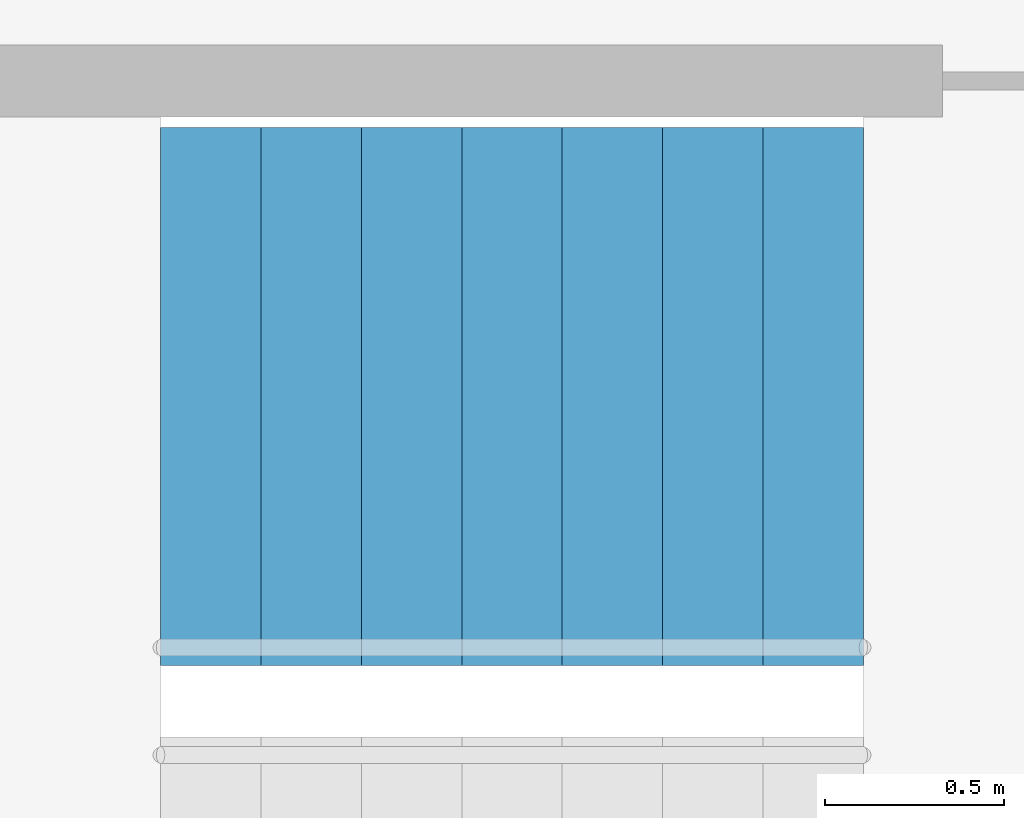
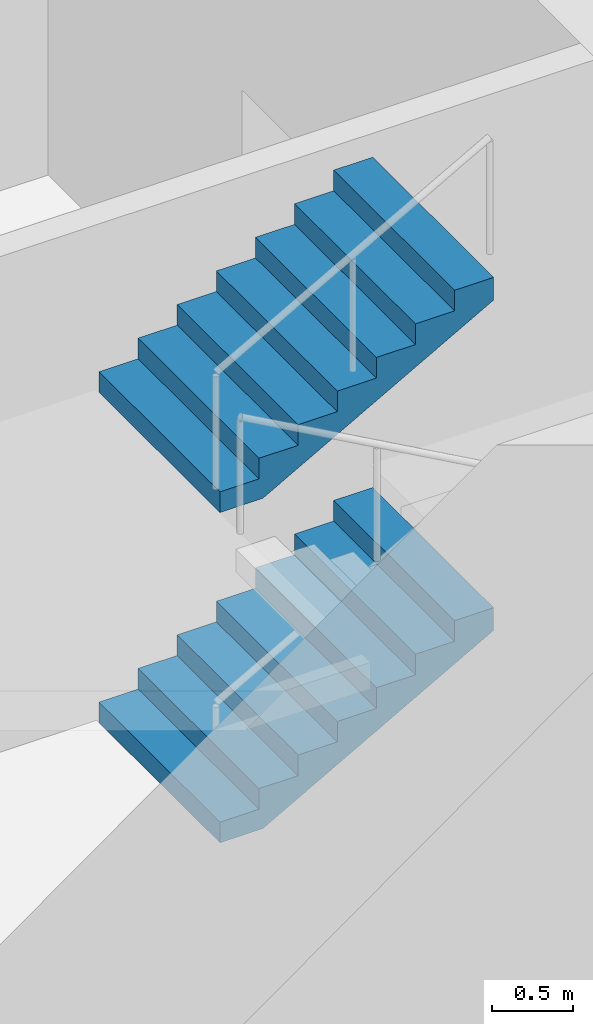
# One storey, part 16 of 17: 2 stair flights, 1 element without a shape of its own.
"""IFC4 building model written with IfcOpenShell, lengths in metres."""

from ifc_helpers import new_model, si_unit, direction, frame, origin, place, context, subcontext, project, spatial, triangles, material, type_object, element, aggregate, save


model = new_model("IFC4")

# Units and contexts
model_context = context("Model", 3, precision=1e-05, world=origin(), true_north=direction((0.0, 1.0)))
body_context = subcontext(model_context, "Body", "Model", "MODEL_VIEW")
ifc_project = project(units=[si_unit("LENGTHUNIT", "METRE"), si_unit("AREAUNIT", "SQUARE_METRE"), si_unit("VOLUMEUNIT", "CUBIC_METRE"), si_unit("PLANEANGLEUNIT", "RADIAN"), si_unit("MASSUNIT", "GRAM", prefix="KILO")], contexts=[model_context])

# Site, building, storey
site_placement = place(None, origin())
site = spatial("IfcSite", under=ifc_project, at=site_placement, CompositionType="ELEMENT")
building_placement = place(site_placement, origin())
building = spatial("IfcBuilding", under=site, at=building_placement, Name="Lantaw Convention Tower", CompositionType="ELEMENT")
storey_placement = place(building_placement, frame((0.0, 0.0, 279.39990234375)))
storey = spatial("IfcBuildingStorey", under=building, at=storey_placement, Name="L65", CompositionType="ELEMENT", Elevation=279.39990234375)

# Stair, stair flights
ifc_material = material(Name="Concrete C35/45", Category="concrete")
stair_type = type_object("IfcStairType", Name="Exit stair 1500 riser 156.25 in 4 flights", PredefinedType="HALF_TURN_STAIR", material=ifc_material)
stair_placement = place(storey_placement, origin())
stair = element("IfcStair", 1, at=stair_placement, inside=storey, type_object=stair_type, Name="Exit stair S2 L65", PredefinedType="HALF_TURN_STAIR")
stair_flight_type = type_object("IfcStairFlightType", Name="Stair flight 1500 riser 156.25", PredefinedType="STRAIGHT", material=ifc_material)
stair_flight_1_placement = place(storey_placement, frame((8.6201171875, -4.280029296875, 1.25), z_axis=(0.0, 0.0, 1.0), x_axis=(1.0, 0.0, 0.0)))
stair_flight_1 = element("IfcStairFlight", 2, at=stair_flight_1_placement, type_object=stair_flight_type, Name="S2 flight 2", NumberOfRisers=8, NumberOfTreads=7, PredefinedType="STRAIGHT", RiserHeight=0.15625, TreadLength=0.28, context=body_context, shape_type="Tessellation", body=[
    triangles([(0.0, 0.75, 0.0), (0.0, 0.75, 0.15625), (0.28, 0.75, 0.0), (0.28, 0.75, 0.15625), (0.28, 0.75, 0.3125), (0.3076200632058044, 0.75, 0.0), (0.3076200632058044, 0.75, 0.3125), (0.56, 0.75, 0.14083701830033238), (0.56, 0.75, 0.3125), (0.56, 0.75, 0.46875), (0.8400000000000001, 0.75, 0.29708701830033235), (0.8400000000000001, 0.75, 0.46875), (0.8400000000000001, 0.75, 0.625), (1.12, 0.75, 0.45333701830033235), (1.12, 0.75, 0.625), (1.12, 0.75, 0.78125), (1.4000000000000001, 0.75, 0.6095870183003324), (1.4000000000000001, 0.75, 0.78125), (1.4000000000000001, 0.75, 0.9375), (1.6800000000000002, 0.75, 0.7658370183003324), (1.6800000000000002, 0.75, 0.9375), (1.6800000000000002, 0.75, 1.09375), (1.9600000000000002, 0.75, 0.9220870183003324), (1.9600000000000002, 0.75, 1.09375), (0.0, -0.75, 0.0), (0.0, -0.75, 0.15625), (0.28, -0.75, 0.0), (0.28, -0.75, 0.15625), (0.28, -0.75, 0.3125), (0.3076200632058044, -0.75, 0.0), (0.3076200632058044, -0.75, 0.3125), (0.56, -0.75, 0.14083701830033238), (0.56, -0.75, 0.3125), (0.56, -0.75, 0.46875), (0.8400000000000001, -0.75, 0.29708701830033235), (0.8400000000000001, -0.75, 0.46875), (0.8400000000000001, -0.75, 0.625), (1.12, -0.75, 0.45333701830033235), (1.12, -0.75, 0.625), (1.12, -0.75, 0.78125), (1.4000000000000001, -0.75, 0.6095870183003324), (1.4000000000000001, -0.75, 0.78125), (1.4000000000000001, -0.75, 0.9375), (1.6800000000000002, -0.75, 0.7658370183003324), (1.6800000000000002, -0.75, 0.9375), (1.6800000000000002, -0.75, 1.09375), (1.9600000000000002, -0.75, 0.9220870183003324), (1.9600000000000002, -0.75, 1.09375), (0.0, 0.15000000000000002, 0.15625), (0.0, 0.15000000000000002, 0.0), (0.0, 0.0, 0.15625), (0.0, 0.0, 0.0), (0.0, -0.15000000000000002, 0.15625), (0.0, -0.15000000000000002, 0.0), (0.28, 0.15000000000000002, 0.3125), (0.28, 0.15000000000000002, 0.15625), (0.28, 0.0, 0.3125), (0.28, 0.0, 0.15625), (0.28, -0.15000000000000002, 0.3125), (0.28, -0.15000000000000002, 0.15625), (0.56, 0.15000000000000002, 0.46875), (0.56, 0.15000000000000002, 0.3125), (0.56, 0.0, 0.46875), (0.56, 0.0, 0.3125), (0.56, -0.15000000000000002, 0.46875), (0.56, -0.15000000000000002, 0.3125), (0.8400000000000001, 0.15000000000000002, 0.625), (0.8400000000000001, 0.15000000000000002, 0.46875), (0.8400000000000001, 0.0, 0.625), (0.8400000000000001, 0.0, 0.46875), (0.8400000000000001, -0.15000000000000002, 0.625), (0.8400000000000001, -0.15000000000000002, 0.46875), (1.12, 0.15000000000000002, 0.78125), (1.12, 0.15000000000000002, 0.625), (1.12, 0.0, 0.78125), (1.12, 0.0, 0.625), (1.12, -0.15000000000000002, 0.78125), (1.12, -0.15000000000000002, 0.625), (1.4000000000000001, 0.15000000000000002, 0.9375), (1.4000000000000001, 0.15000000000000002, 0.78125), (1.4000000000000001, 0.0, 0.9375), (1.4000000000000001, 0.0, 0.78125), (1.4000000000000001, -0.15000000000000002, 0.9375), (1.4000000000000001, -0.15000000000000002, 0.78125), (1.6800000000000002, 0.15000000000000002, 1.09375), (1.6800000000000002, 0.15000000000000002, 0.9375), (1.6800000000000002, 0.0, 1.09375), (1.6800000000000002, 0.0, 0.9375), (1.6800000000000002, -0.15000000000000002, 1.09375), (1.6800000000000002, -0.15000000000000002, 0.9375), (0.3076200632058044, 0.15000000000000002, 0.3125), (0.3076200632058044, 0.0, 0.3125), (0.3076200632058044, -0.15000000000000002, 0.3125), (1.9600000000000002, 0.15000000000000002, 1.09375), (1.9600000000000002, 0.0, 1.09375), (1.9600000000000002, -0.15000000000000002, 1.09375), (1.9600000000000002, 0.15000000000000002, 0.9220870183003324), (1.9600000000000002, 0.0, 0.9220870183003324), (1.9600000000000002, -0.15000000000000002, 0.9220870183003324), (1.6800000000000002, 0.15000000000000002, 0.7658370183003324), (1.6800000000000002, 0.0, 0.7658370183003324), (1.6800000000000002, -0.15000000000000002, 0.7658370183003324), (1.4000000000000001, 0.15000000000000002, 0.6095870183003324), (1.4000000000000001, 0.0, 0.6095870183003324), (1.4000000000000001, -0.15000000000000002, 0.6095870183003324), (1.12, 0.15000000000000002, 0.45333701830033235), (1.12, 0.0, 0.45333701830033235), (1.12, -0.15000000000000002, 0.45333701830033235), (0.8400000000000001, 0.15000000000000002, 0.29708701830033235), (0.8400000000000001, 0.0, 0.29708701830033235), (0.8400000000000001, -0.15000000000000002, 0.29708701830033235), (0.56, 0.15000000000000002, 0.14083701830033238), (0.56, 0.0, 0.14083701830033238), (0.56, -0.15000000000000002, 0.14083701830033238), (0.3076200632058044, 0.15000000000000002, 0.0), (0.3076200632058044, 0.0, 0.0), (0.3076200632058044, -0.15000000000000002, 0.0), (0.28, 0.15000000000000002, 0.0), (0.28, 0.0, 0.0), (0.28, -0.15000000000000002, 0.0)], [[1, 4, 3], [1, 2, 4], [3, 4, 6], [4, 7, 6], [4, 5, 7], [6, 9, 8], [6, 7, 9], [8, 9, 11], [9, 12, 11], [9, 10, 12], [11, 12, 14], [12, 15, 14], [12, 13, 15], [14, 15, 17], [15, 18, 17], [15, 16, 18], [17, 18, 20], [18, 21, 20], [18, 19, 21], [20, 21, 23], [21, 24, 23], [21, 22, 24], [25, 27, 28], [25, 28, 26], [27, 30, 28], [28, 30, 31], [28, 31, 29], [30, 32, 33], [30, 33, 31], [32, 35, 33], [33, 35, 36], [33, 36, 34], [35, 38, 36], [36, 38, 39], [36, 39, 37], [38, 41, 39], [39, 41, 42], [39, 42, 40], [41, 44, 42], [42, 44, 45], [42, 45, 43], [44, 47, 45], [45, 47, 48], [45, 48, 46], [1, 49, 2], [1, 50, 49], [50, 51, 49], [50, 52, 51], [52, 53, 51], [52, 54, 53], [54, 26, 53], [54, 25, 26], [4, 55, 5], [4, 56, 55], [56, 57, 55], [56, 58, 57], [58, 59, 57], [58, 60, 59], [60, 29, 59], [60, 28, 29], [9, 61, 10], [9, 62, 61], [62, 63, 61], [62, 64, 63], [64, 65, 63], [64, 66, 65], [66, 34, 65], [66, 33, 34], [12, 67, 13], [12, 68, 67], [68, 69, 67], [68, 70, 69], [70, 71, 69], [70, 72, 71], [72, 37, 71], [72, 36, 37], [15, 73, 16], [15, 74, 73], [74, 75, 73], [74, 76, 75], [76, 77, 75], [76, 78, 77], [78, 40, 77], [78, 39, 40], [18, 79, 19], [18, 80, 79], [80, 81, 79], [80, 82, 81], [82, 83, 81], [82, 84, 83], [84, 43, 83], [84, 42, 43], [21, 85, 22], [21, 86, 85], [86, 87, 85], [86, 88, 87], [88, 89, 87], [88, 90, 89], [90, 46, 89], [90, 45, 46], [2, 56, 4], [2, 49, 56], [49, 58, 56], [49, 51, 58], [51, 60, 58], [51, 53, 60], [53, 28, 60], [53, 26, 28], [5, 91, 7], [5, 55, 91], [55, 92, 91], [55, 57, 92], [57, 93, 92], [57, 59, 93], [59, 31, 93], [59, 29, 31], [7, 62, 9], [7, 91, 62], [91, 64, 62], [91, 92, 64], [92, 66, 64], [92, 93, 66], [93, 33, 66], [93, 31, 33], [10, 68, 12], [10, 61, 68], [61, 70, 68], [61, 63, 70], [63, 72, 70], [63, 65, 72], [65, 36, 72], [65, 34, 36], [13, 74, 15], [13, 67, 74], [67, 76, 74], [67, 69, 76], [69, 78, 76], [69, 71, 78], [71, 39, 78], [71, 37, 39], [16, 80, 18], [16, 73, 80], [73, 82, 80], [73, 75, 82], [75, 84, 82], [75, 77, 84], [77, 42, 84], [77, 40, 42], [19, 86, 21], [19, 79, 86], [79, 88, 86], [79, 81, 88], [81, 90, 88], [81, 83, 90], [83, 45, 90], [83, 43, 45], [22, 94, 24], [22, 85, 94], [85, 95, 94], [85, 87, 95], [87, 96, 95], [87, 89, 96], [89, 48, 96], [89, 46, 48], [24, 97, 23], [24, 94, 97], [94, 98, 97], [94, 95, 98], [95, 99, 98], [95, 96, 99], [96, 47, 99], [96, 48, 47], [23, 100, 20], [23, 97, 100], [97, 101, 100], [97, 98, 101], [98, 102, 101], [98, 99, 102], [99, 44, 102], [99, 47, 44], [20, 103, 17], [20, 100, 103], [100, 104, 103], [100, 101, 104], [101, 105, 104], [101, 102, 105], [102, 41, 105], [102, 44, 41], [17, 106, 14], [17, 103, 106], [103, 107, 106], [103, 104, 107], [104, 108, 107], [104, 105, 108], [105, 38, 108], [105, 41, 38], [14, 109, 11], [14, 106, 109], [106, 110, 109], [106, 107, 110], [107, 111, 110], [107, 108, 111], [108, 35, 111], [108, 38, 35], [11, 112, 8], [11, 109, 112], [109, 113, 112], [109, 110, 113], [110, 114, 113], [110, 111, 114], [111, 32, 114], [111, 35, 32], [8, 115, 6], [8, 112, 115], [112, 116, 115], [112, 113, 116], [113, 117, 116], [113, 114, 117], [114, 30, 117], [114, 32, 30], [6, 118, 3], [6, 115, 118], [115, 119, 118], [115, 116, 119], [116, 120, 119], [116, 117, 120], [117, 27, 120], [117, 30, 27], [3, 50, 1], [3, 118, 50], [118, 52, 50], [118, 119, 52], [119, 54, 52], [119, 120, 54], [120, 25, 54], [120, 27, 25]], closed=True),
])
stair_flight_2_placement = place(storey_placement, frame((8.6201171875, -4.280029296875, 3.75), z_axis=(0.0, 0.0, 1.0), x_axis=(1.0, 0.0, 0.0)))
stair_flight_2 = element("IfcStairFlight", 3, at=stair_flight_2_placement, type_object=stair_flight_type, Name="S2 flight 4", NumberOfRisers=8, NumberOfTreads=7, PredefinedType="STRAIGHT", RiserHeight=0.15625, TreadLength=0.28, context=body_context, shape_type="Tessellation", body=[
    triangles([(0.0, 0.75, 0.0), (0.0, 0.75, 0.15625), (0.28, 0.75, 0.0), (0.28, 0.75, 0.15625), (0.28, 0.75, 0.3125), (0.3076200632058044, 0.75, 0.0), (0.3076200632058044, 0.75, 0.3125), (0.56, 0.75, 0.14083701830033238), (0.56, 0.75, 0.3125), (0.56, 0.75, 0.46875), (0.8400000000000001, 0.75, 0.29708701830033235), (0.8400000000000001, 0.75, 0.46875), (0.8400000000000001, 0.75, 0.625), (1.12, 0.75, 0.45333701830033235), (1.12, 0.75, 0.625), (1.12, 0.75, 0.78125), (1.4000000000000001, 0.75, 0.6095870183003324), (1.4000000000000001, 0.75, 0.78125), (1.4000000000000001, 0.75, 0.9375), (1.6800000000000002, 0.75, 0.7658370183003324), (1.6800000000000002, 0.75, 0.9375), (1.6800000000000002, 0.75, 1.09375), (1.9600000000000002, 0.75, 0.9220870183003324), (1.9600000000000002, 0.75, 1.09375), (0.0, -0.75, 0.0), (0.0, -0.75, 0.15625), (0.28, -0.75, 0.0), (0.28, -0.75, 0.15625), (0.28, -0.75, 0.3125), (0.3076200632058044, -0.75, 0.0), (0.3076200632058044, -0.75, 0.3125), (0.56, -0.75, 0.14083701830033238), (0.56, -0.75, 0.3125), (0.56, -0.75, 0.46875), (0.8400000000000001, -0.75, 0.29708701830033235), (0.8400000000000001, -0.75, 0.46875), (0.8400000000000001, -0.75, 0.625), (1.12, -0.75, 0.45333701830033235), (1.12, -0.75, 0.625), (1.12, -0.75, 0.78125), (1.4000000000000001, -0.75, 0.6095870183003324), (1.4000000000000001, -0.75, 0.78125), (1.4000000000000001, -0.75, 0.9375), (1.6800000000000002, -0.75, 0.7658370183003324), (1.6800000000000002, -0.75, 0.9375), (1.6800000000000002, -0.75, 1.09375), (1.9600000000000002, -0.75, 0.9220870183003324), (1.9600000000000002, -0.75, 1.09375), (0.0, 0.15000000000000002, 0.15625), (0.0, 0.15000000000000002, 0.0), (0.0, 0.0, 0.15625), (0.0, 0.0, 0.0), (0.0, -0.15000000000000002, 0.15625), (0.0, -0.15000000000000002, 0.0), (0.28, 0.15000000000000002, 0.3125), (0.28, 0.15000000000000002, 0.15625), (0.28, 0.0, 0.3125), (0.28, 0.0, 0.15625), (0.28, -0.15000000000000002, 0.3125), (0.28, -0.15000000000000002, 0.15625), (0.56, 0.15000000000000002, 0.46875), (0.56, 0.15000000000000002, 0.3125), (0.56, 0.0, 0.46875), (0.56, 0.0, 0.3125), (0.56, -0.15000000000000002, 0.46875), (0.56, -0.15000000000000002, 0.3125), (0.8400000000000001, 0.15000000000000002, 0.625), (0.8400000000000001, 0.15000000000000002, 0.46875), (0.8400000000000001, 0.0, 0.625), (0.8400000000000001, 0.0, 0.46875), (0.8400000000000001, -0.15000000000000002, 0.625), (0.8400000000000001, -0.15000000000000002, 0.46875), (1.12, 0.15000000000000002, 0.78125), (1.12, 0.15000000000000002, 0.625), (1.12, 0.0, 0.78125), (1.12, 0.0, 0.625), (1.12, -0.15000000000000002, 0.78125), (1.12, -0.15000000000000002, 0.625), (1.4000000000000001, 0.15000000000000002, 0.9375), (1.4000000000000001, 0.15000000000000002, 0.78125), (1.4000000000000001, 0.0, 0.9375), (1.4000000000000001, 0.0, 0.78125), (1.4000000000000001, -0.15000000000000002, 0.9375), (1.4000000000000001, -0.15000000000000002, 0.78125), (1.6800000000000002, 0.15000000000000002, 1.09375), (1.6800000000000002, 0.15000000000000002, 0.9375), (1.6800000000000002, 0.0, 1.09375), (1.6800000000000002, 0.0, 0.9375), (1.6800000000000002, -0.15000000000000002, 1.09375), (1.6800000000000002, -0.15000000000000002, 0.9375), (0.3076200632058044, 0.15000000000000002, 0.3125), (0.3076200632058044, 0.0, 0.3125), (0.3076200632058044, -0.15000000000000002, 0.3125), (1.9600000000000002, 0.15000000000000002, 1.09375), (1.9600000000000002, 0.0, 1.09375), (1.9600000000000002, -0.15000000000000002, 1.09375), (1.9600000000000002, 0.15000000000000002, 0.9220870183003324), (1.9600000000000002, 0.0, 0.9220870183003324), (1.9600000000000002, -0.15000000000000002, 0.9220870183003324), (1.6800000000000002, 0.15000000000000002, 0.7658370183003324), (1.6800000000000002, 0.0, 0.7658370183003324), (1.6800000000000002, -0.15000000000000002, 0.7658370183003324), (1.4000000000000001, 0.15000000000000002, 0.6095870183003324), (1.4000000000000001, 0.0, 0.6095870183003324), (1.4000000000000001, -0.15000000000000002, 0.6095870183003324), (1.12, 0.15000000000000002, 0.45333701830033235), (1.12, 0.0, 0.45333701830033235), (1.12, -0.15000000000000002, 0.45333701830033235), (0.8400000000000001, 0.15000000000000002, 0.29708701830033235), (0.8400000000000001, 0.0, 0.29708701830033235), (0.8400000000000001, -0.15000000000000002, 0.29708701830033235), (0.56, 0.15000000000000002, 0.14083701830033238), (0.56, 0.0, 0.14083701830033238), (0.56, -0.15000000000000002, 0.14083701830033238), (0.3076200632058044, 0.15000000000000002, 0.0), (0.3076200632058044, 0.0, 0.0), (0.3076200632058044, -0.15000000000000002, 0.0), (0.28, 0.15000000000000002, 0.0), (0.28, 0.0, 0.0), (0.28, -0.15000000000000002, 0.0)], [[1, 4, 3], [1, 2, 4], [3, 4, 6], [4, 7, 6], [4, 5, 7], [6, 9, 8], [6, 7, 9], [8, 9, 11], [9, 12, 11], [9, 10, 12], [11, 12, 14], [12, 15, 14], [12, 13, 15], [14, 15, 17], [15, 18, 17], [15, 16, 18], [17, 18, 20], [18, 21, 20], [18, 19, 21], [20, 21, 23], [21, 24, 23], [21, 22, 24], [25, 27, 28], [25, 28, 26], [27, 30, 28], [28, 30, 31], [28, 31, 29], [30, 32, 33], [30, 33, 31], [32, 35, 33], [33, 35, 36], [33, 36, 34], [35, 38, 36], [36, 38, 39], [36, 39, 37], [38, 41, 39], [39, 41, 42], [39, 42, 40], [41, 44, 42], [42, 44, 45], [42, 45, 43], [44, 47, 45], [45, 47, 48], [45, 48, 46], [1, 49, 2], [1, 50, 49], [50, 51, 49], [50, 52, 51], [52, 53, 51], [52, 54, 53], [54, 26, 53], [54, 25, 26], [4, 55, 5], [4, 56, 55], [56, 57, 55], [56, 58, 57], [58, 59, 57], [58, 60, 59], [60, 29, 59], [60, 28, 29], [9, 61, 10], [9, 62, 61], [62, 63, 61], [62, 64, 63], [64, 65, 63], [64, 66, 65], [66, 34, 65], [66, 33, 34], [12, 67, 13], [12, 68, 67], [68, 69, 67], [68, 70, 69], [70, 71, 69], [70, 72, 71], [72, 37, 71], [72, 36, 37], [15, 73, 16], [15, 74, 73], [74, 75, 73], [74, 76, 75], [76, 77, 75], [76, 78, 77], [78, 40, 77], [78, 39, 40], [18, 79, 19], [18, 80, 79], [80, 81, 79], [80, 82, 81], [82, 83, 81], [82, 84, 83], [84, 43, 83], [84, 42, 43], [21, 85, 22], [21, 86, 85], [86, 87, 85], [86, 88, 87], [88, 89, 87], [88, 90, 89], [90, 46, 89], [90, 45, 46], [2, 56, 4], [2, 49, 56], [49, 58, 56], [49, 51, 58], [51, 60, 58], [51, 53, 60], [53, 28, 60], [53, 26, 28], [5, 91, 7], [5, 55, 91], [55, 92, 91], [55, 57, 92], [57, 93, 92], [57, 59, 93], [59, 31, 93], [59, 29, 31], [7, 62, 9], [7, 91, 62], [91, 64, 62], [91, 92, 64], [92, 66, 64], [92, 93, 66], [93, 33, 66], [93, 31, 33], [10, 68, 12], [10, 61, 68], [61, 70, 68], [61, 63, 70], [63, 72, 70], [63, 65, 72], [65, 36, 72], [65, 34, 36], [13, 74, 15], [13, 67, 74], [67, 76, 74], [67, 69, 76], [69, 78, 76], [69, 71, 78], [71, 39, 78], [71, 37, 39], [16, 80, 18], [16, 73, 80], [73, 82, 80], [73, 75, 82], [75, 84, 82], [75, 77, 84], [77, 42, 84], [77, 40, 42], [19, 86, 21], [19, 79, 86], [79, 88, 86], [79, 81, 88], [81, 90, 88], [81, 83, 90], [83, 45, 90], [83, 43, 45], [22, 94, 24], [22, 85, 94], [85, 95, 94], [85, 87, 95], [87, 96, 95], [87, 89, 96], [89, 48, 96], [89, 46, 48], [24, 97, 23], [24, 94, 97], [94, 98, 97], [94, 95, 98], [95, 99, 98], [95, 96, 99], [96, 47, 99], [96, 48, 47], [23, 100, 20], [23, 97, 100], [97, 101, 100], [97, 98, 101], [98, 102, 101], [98, 99, 102], [99, 44, 102], [99, 47, 44], [20, 103, 17], [20, 100, 103], [100, 104, 103], [100, 101, 104], [101, 105, 104], [101, 102, 105], [102, 41, 105], [102, 44, 41], [17, 106, 14], [17, 103, 106], [103, 107, 106], [103, 104, 107], [104, 108, 107], [104, 105, 108], [105, 38, 108], [105, 41, 38], [14, 109, 11], [14, 106, 109], [106, 110, 109], [106, 107, 110], [107, 111, 110], [107, 108, 111], [108, 35, 111], [108, 38, 35], [11, 112, 8], [11, 109, 112], [109, 113, 112], [109, 110, 113], [110, 114, 113], [110, 111, 114], [111, 32, 114], [111, 35, 32], [8, 115, 6], [8, 112, 115], [112, 116, 115], [112, 113, 116], [113, 117, 116], [113, 114, 117], [114, 30, 117], [114, 32, 30], [6, 118, 3], [6, 115, 118], [115, 119, 118], [115, 116, 119], [116, 120, 119], [116, 117, 120], [117, 27, 120], [117, 30, 27], [3, 50, 1], [3, 118, 50], [118, 52, 50], [118, 119, 52], [119, 54, 52], [119, 120, 54], [120, 25, 54], [120, 27, 25]], closed=True),
])
aggregate(stair, [stair_flight_1, stair_flight_2])

save(model, "model.ifc")
